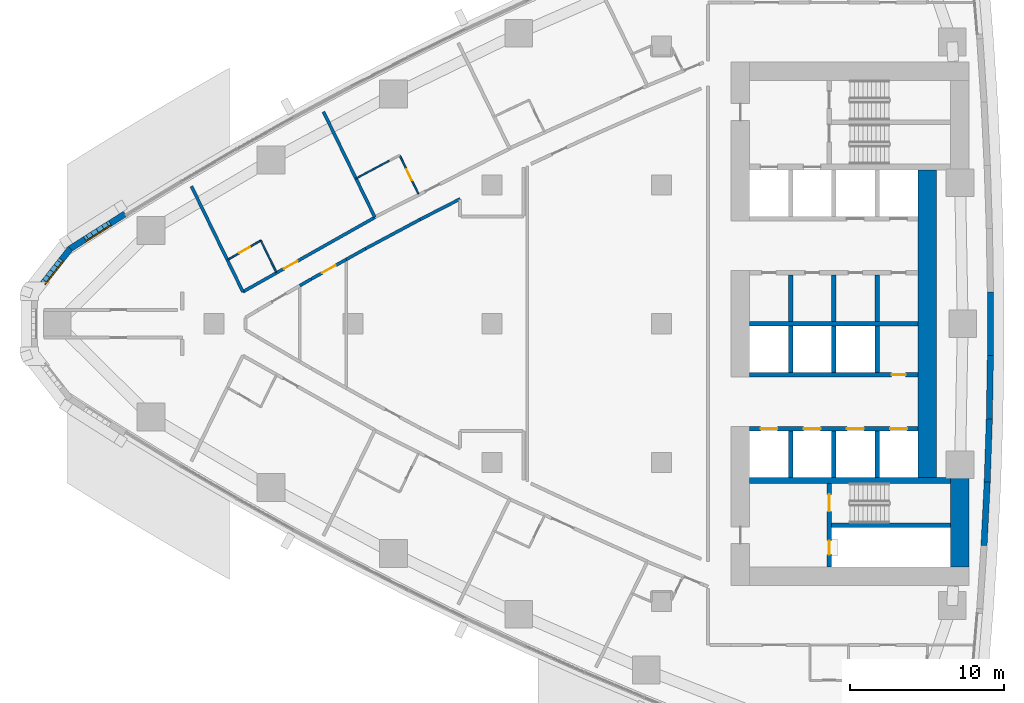
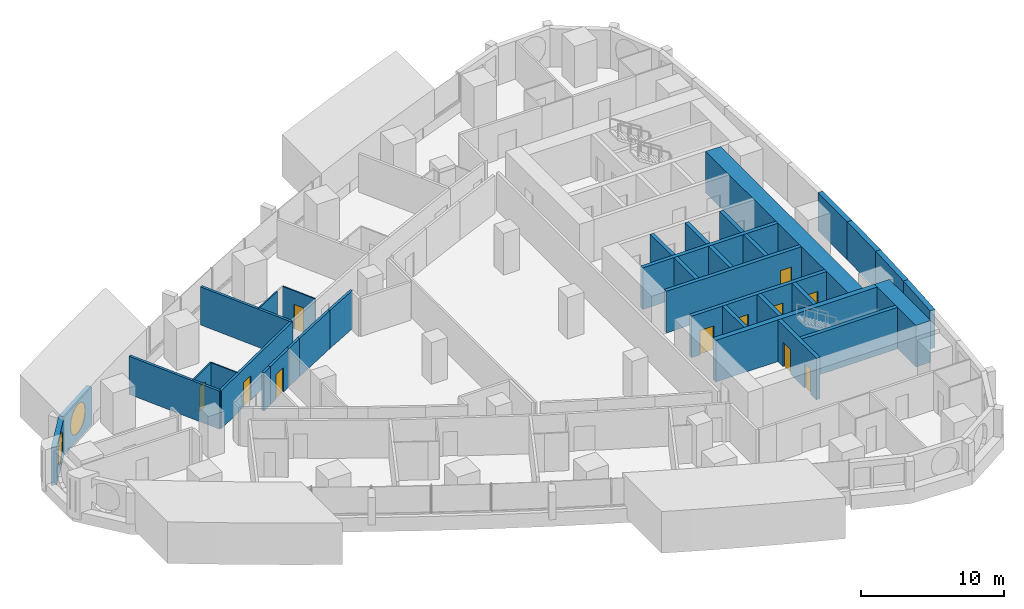
# One storey, part 11 of 19: 35 walls, 11 doors, 2 windows, 13 openings.
"""IFC4 building model written with IfcOpenShell, lengths in metres."""

from ifc_helpers import new_model, si_unit, direction, frame, frame_2d, origin, place, context, subcontext, project, spatial, polyline, rectangle, outline, extrude, material, layer, layer_set, type_object, element, fill, save


model = new_model("IFC4")

# Units and contexts
model_context = context("Model", 3, precision=1e-05, world=origin(), true_north=direction((0.0, 1.0)))
body_context = subcontext(model_context, "Body", "Model", "MODEL_VIEW")
ifc_project = project(units=[si_unit("LENGTHUNIT", "METRE"), si_unit("AREAUNIT", "SQUARE_METRE"), si_unit("VOLUMEUNIT", "CUBIC_METRE"), si_unit("PLANEANGLEUNIT", "RADIAN"), si_unit("MASSUNIT", "GRAM", prefix="KILO")], contexts=[model_context])

# Site, building, storey
site_placement = place(None, origin())
site = spatial("IfcSite", under=ifc_project, at=site_placement, CompositionType="ELEMENT")
building_placement = place(site_placement, origin())
building = spatial("IfcBuilding", under=site, at=building_placement, Name="Ostrand Prow Hotel Tower", CompositionType="ELEMENT")
storey_placement = place(building_placement, frame((0.0, 0.0, 60.89990234375)))
storey = spatial("IfcBuildingStorey", under=building, at=storey_placement, Name="L13", CompositionType="ELEMENT", Elevation=60.89990234375)

# Walls
ifc_material_1 = material(Name="Concrete C80/95", Category="concrete")
ifc_layer_1 = layer(ifc_material_1, 1.199951171875)
ifc_layer_set_1 = layer_set([ifc_layer_1], Name="Concrete C80/95")
wall_type_1 = type_object("IfcWallType", Name="Core wall 1200 C80/95", PredefinedType="SHEAR", material=ifc_layer_set_1)
wall_1_placement = place(storey_placement, frame((64.320068359375, -15.75, 0.0), z_axis=(0.0, 0.0, 1.0), x_axis=(0.0, 1.0, 0.0)))
element("IfcWall", 1, at=wall_1_placement, inside=storey, type_object=wall_type_1, Name="Core wall CW-E-S", PredefinedType="SHEAR", context=body_context, shape_type="SweptSolid", body=[
    extrude(rectangle(XDim=5.800048828125, YDim=1.199951171875, at=frame_2d((2.89990234375, 0.0))), origin(), (0.0, 0.0, 1.0), 3.550048828125),
])
wall_2_placement = place(storey_placement, frame((62.199951171875, -9.949951171875, 0.0), z_axis=(0.0, 0.0, 1.0), x_axis=(0.0, 1.0, 0.0)))
element("IfcWall", 2, at=wall_2_placement, inside=storey, type_object=wall_type_1, Name="Core wall CW-E-C", PredefinedType="SHEAR", context=body_context, shape_type="SweptSolid", body=[
    extrude(rectangle(XDim=19.89990234375, YDim=1.199951171875, at=frame_2d((9.949951171875, 0.0))), origin(), (0.0, 0.0, 1.0), 3.550048828125),
])
ifc_material_2 = material(Name="Concrete C80/95", Category="concrete")
ifc_layer_2 = layer(ifc_material_2, 0.300048828125)
ifc_layer_set_2 = layer_set([ifc_layer_2], Name="Concrete C80/95")
wall_type_2 = type_object("IfcWallType", Name="Core wall 300 C80/95", PredefinedType="SHEAR", material=ifc_layer_set_2)
wall_3_placement = place(storey_placement, frame((50.699951171875, 0.0, 0.0), z_axis=(0.0, 0.0, 1.0), x_axis=(1.0, 0.0, 0.0)))
element("IfcWall", 3, at=wall_3_placement, inside=storey, type_object=wall_type_2, Name="Core wall PW-C", PredefinedType="SHEAR", context=body_context, shape_type="SweptSolid", body=[
    extrude(rectangle(XDim=10.900146484375, YDim=0.300048828125, at=frame_2d((5.4501953125, 0.0))), origin(), (0.0, 0.0, 1.0), 3.550048828125),
])
for number, where, z_axis, x_axis, name in (
    (4, (53.35009765625, 0.14990234375, 0.0), (0.0, 0.0, 1.0), (0.0, 1.0, 0.0), "Core wall PW-R1-NB"),
    (5, (56.14990234375, 0.14990234375, 0.0), (0.0, 0.0, 1.0), (0.0, 1.0, 0.0), "Core wall PW-R2-NB"),
    (6, (58.949951171875, 0.14990234375, 0.0), (0.0, 0.0, 1.0), (0.0, 1.0, 0.0), "Core wall PW-R3-NB"),
):
    element("IfcWall", number, at=place(storey_placement, frame(where, z_axis=z_axis, x_axis=x_axis)), inside=storey, type_object=wall_type_2, Name=name, PredefinedType="SHEAR", context=body_context, shape_type="SweptSolid", body=[
        extrude(rectangle(XDim=3.0, YDim=0.300048828125, at=frame_2d((1.5, 0.0))), origin(), (0.0, 0.0, 1.0), 3.550048828125),
    ])

# Wall, opening, door
wall_4_placement = place(storey_placement, frame((50.699951171875, -3.300048828125, 0.0), z_axis=(0.0, 0.0, 1.0), x_axis=(1.0, 0.0, 0.0)))
wall_4 = element("IfcWall", 7, at=wall_4_placement, inside=storey, type_object=wall_type_2, Name="Core wall PW-L1-S", PredefinedType="SHEAR", context=body_context, shape_type="SweptSolid", body=[
    extrude(rectangle(XDim=10.900146484375, YDim=0.300048828125, at=frame_2d((5.4501953125, 0.0))), origin(), (0.0, 0.0, 1.0), 3.550048828125),
])
opening_1_placement = place(wall_4_placement, frame((9.199951171875, 0.0, 0.0)))
opening_1 = element("IfcOpeningElement", 8, at=opening_1_placement, cuts=wall_4, Name="Opening FD2", PredefinedType="OPENING", context=body_context, shape_type="SweptSolid", body=[
    extrude(rectangle(XDim=0.89990234375, YDim=2.10009765625, at=frame_2d((0.449951171875, 1.050048828125))), frame((0.0, 0.159912109375, 0.0), z_axis=(0.0, -1.0, 0.0), x_axis=(1.0, 0.0, 0.0)), (0.0, 0.0, 1.0), 0.320068359375),
])
ifc_material_3 = material(Name="Steel fire door", Category="steel")
door_type_1 = type_object("IfcDoorType", Name="Fire door 900 EI120", OperationType="SINGLE_SWING_LEFT", PredefinedType="DOOR", material=ifc_material_3)
door_1_placement = place(opening_1_placement, origin())
door_1 = element("IfcDoor", 9, at=door_1_placement, inside=storey, type_object=door_type_1, Name="DOOR", OperationType="SINGLE_SWING_LEFT", OverallHeight=2.10009765625, OverallWidth=0.89990234375, PredefinedType="DOOR", context=body_context, shape_type="SweptSolid", body=[
    extrude(rectangle(XDim=0.89990234375, YDim=2.10009765625, at=frame_2d((0.449951171875, 1.050048828125))), frame((0.0, 0.02490234375, 0.0), z_axis=(0.0, -1.0, 0.0), x_axis=(1.0, 0.0, 0.0)), (0.0, 0.0, 1.0), 0.050048828125),
])
fill(opening_1, door_1)

# Wall, openings, doors
wall_5_placement = place(storey_placement, frame((50.699951171875, -6.800048828125, 0.0), z_axis=(0.0, 0.0, 1.0), x_axis=(1.0, 0.0, 0.0)))
wall_5 = element("IfcWall", 10, at=wall_5_placement, inside=storey, type_object=wall_type_2, Name="Core wall PW-L2-S", PredefinedType="SHEAR", context=body_context, shape_type="SweptSolid", body=[
    extrude(rectangle(XDim=10.900146484375, YDim=0.300048828125, at=frame_2d((5.4501953125, 0.0))), origin(), (0.0, 0.0, 1.0), 3.550048828125),
])
opening_2_placement = place(wall_5_placement, frame((0.699951171875, 0.0, 0.0)))
opening_2 = element("IfcOpeningElement", 11, at=opening_2_placement, cuts=wall_5, Name="Opening LD", PredefinedType="OPENING", context=body_context, shape_type="SweptSolid", body=[
    extrude(rectangle(XDim=1.10009765625, YDim=2.10009765625, at=frame_2d((0.550048828125, 1.050048828125))), frame((0.0, 0.159912109375, 0.0), z_axis=(0.0, -1.0, 0.0), x_axis=(1.0, 0.0, 0.0)), (0.0, 0.0, 1.0), 0.320068359375),
])
opening_3_placement = place(wall_5_placement, frame((3.5, 0.0, 0.0)))
opening_3 = element("IfcOpeningElement", 12, at=opening_3_placement, cuts=wall_5, Name="Opening LD", PredefinedType="OPENING", context=body_context, shape_type="SweptSolid", body=[
    extrude(rectangle(XDim=1.10009765625, YDim=2.10009765625, at=frame_2d((0.550048828125, 1.050048828125))), frame((0.0, 0.159912109375, 0.0), z_axis=(0.0, -1.0, 0.0), x_axis=(1.0, 0.0, 0.0)), (0.0, 0.0, 1.0), 0.320068359375),
])
opening_4_placement = place(wall_5_placement, frame((6.300048828125, 0.0, 0.0)))
opening_4 = element("IfcOpeningElement", 13, at=opening_4_placement, cuts=wall_5, Name="Opening LD", PredefinedType="OPENING", context=body_context, shape_type="SweptSolid", body=[
    extrude(rectangle(XDim=1.10009765625, YDim=2.10009765625, at=frame_2d((0.550048828125, 1.050048828125))), frame((0.0, 0.159912109375, 0.0), z_axis=(0.0, -1.0, 0.0), x_axis=(1.0, 0.0, 0.0)), (0.0, 0.0, 1.0), 0.320068359375),
])
opening_5_placement = place(wall_5_placement, frame((9.10009765625, 0.0, 0.0)))
opening_5 = element("IfcOpeningElement", 14, at=opening_5_placement, cuts=wall_5, Name="Opening LD", PredefinedType="OPENING", context=body_context, shape_type="SweptSolid", body=[
    extrude(rectangle(XDim=1.10009765625, YDim=2.10009765625, at=frame_2d((0.550048828125, 1.050048828125))), frame((0.0, 0.159912109375, 0.0), z_axis=(0.0, -1.0, 0.0), x_axis=(1.0, 0.0, 0.0)), (0.0, 0.0, 1.0), 0.320068359375),
])
ifc_material_4 = material(Name="Stainless steel door", Category="steel")
door_type_2 = type_object("IfcDoorType", Name="Lift landing door 1100", OperationType="DOUBLE_DOOR_SLIDING", PredefinedType="DOOR", material=ifc_material_4)
door_2_placement = place(opening_2_placement, origin())
door_2 = element("IfcDoor", 15, at=door_2_placement, inside=storey, type_object=door_type_2, Name="LIFT LANDING DOOR", OperationType="DOUBLE_DOOR_SLIDING", OverallHeight=2.10009765625, OverallWidth=1.10009765625, PredefinedType="DOOR", context=body_context, shape_type="SweptSolid", body=[
    extrude(rectangle(XDim=1.10009765625, YDim=2.10009765625, at=frame_2d((0.550048828125, 1.050048828125))), frame((0.0, 0.02490234375, 0.0), z_axis=(0.0, -1.0, 0.0), x_axis=(1.0, 0.0, 0.0)), (0.0, 0.0, 1.0), 0.050048828125),
])
fill(opening_2, door_2)
door_3_placement = place(opening_3_placement, origin())
door_3 = element("IfcDoor", 16, at=door_3_placement, inside=storey, type_object=door_type_2, Name="LIFT LANDING DOOR", OperationType="DOUBLE_DOOR_SLIDING", OverallHeight=2.10009765625, OverallWidth=1.10009765625, PredefinedType="DOOR", context=body_context, shape_type="SweptSolid", body=[
    extrude(rectangle(XDim=1.10009765625, YDim=2.10009765625, at=frame_2d((0.550048828125, 1.050048828125))), frame((0.0, 0.02490234375, 0.0), z_axis=(0.0, -1.0, 0.0), x_axis=(1.0, 0.0, 0.0)), (0.0, 0.0, 1.0), 0.050048828125),
])
fill(opening_3, door_3)
door_4_placement = place(opening_4_placement, origin())
door_4 = element("IfcDoor", 17, at=door_4_placement, inside=storey, type_object=door_type_2, Name="LIFT LANDING DOOR", OperationType="DOUBLE_DOOR_SLIDING", OverallHeight=2.10009765625, OverallWidth=1.10009765625, PredefinedType="DOOR", context=body_context, shape_type="SweptSolid", body=[
    extrude(rectangle(XDim=1.10009765625, YDim=2.10009765625, at=frame_2d((0.550048828125, 1.050048828125))), frame((0.0, 0.02490234375, 0.0), z_axis=(0.0, -1.0, 0.0), x_axis=(1.0, 0.0, 0.0)), (0.0, 0.0, 1.0), 0.050048828125),
])
fill(opening_4, door_4)
door_5_placement = place(opening_5_placement, origin())
door_5 = element("IfcDoor", 18, at=door_5_placement, inside=storey, type_object=door_type_2, Name="LIFT LANDING DOOR", OperationType="DOUBLE_DOOR_SLIDING", OverallHeight=2.10009765625, OverallWidth=1.10009765625, PredefinedType="DOOR", context=body_context, shape_type="SweptSolid", body=[
    extrude(rectangle(XDim=1.10009765625, YDim=2.10009765625, at=frame_2d((0.550048828125, 1.050048828125))), frame((0.0, 0.02490234375, 0.0), z_axis=(0.0, -1.0, 0.0), x_axis=(1.0, 0.0, 0.0)), (0.0, 0.0, 1.0), 0.050048828125),
])
fill(opening_5, door_5)

# Walls
for number, where, z_axis, x_axis, name in (
    (19, (53.35009765625, -3.14990234375, 0.0), (0.0, 0.0, 1.0), (0.0, 1.0, 0.0), "Core wall PW-R1-SB"),
    (20, (53.35009765625, -9.949951171875, 0.0), (0.0, 0.0, 1.0), (0.0, 1.0, 0.0), "Core wall PW-R1-SA"),
    (21, (56.14990234375, -3.14990234375, 0.0), (0.0, 0.0, 1.0), (0.0, 1.0, 0.0), "Core wall PW-R2-SB"),
    (22, (56.14990234375, -9.949951171875, 0.0), (0.0, 0.0, 1.0), (0.0, 1.0, 0.0), "Core wall PW-R2-SA"),
    (23, (58.949951171875, -3.14990234375, 0.0), (0.0, 0.0, 1.0), (0.0, 1.0, 0.0), "Core wall PW-R3-SB"),
    (24, (58.949951171875, -9.949951171875, 0.0), (0.0, 0.0, 1.0), (0.0, 1.0, 0.0), "Core wall PW-R3-SA"),
):
    element("IfcWall", number, at=place(storey_placement, frame(where, z_axis=z_axis, x_axis=x_axis)), inside=storey, type_object=wall_type_2, Name=name, PredefinedType="SHEAR", context=body_context, shape_type="SweptSolid", body=[
        extrude(rectangle(XDim=3.0, YDim=0.300048828125, at=frame_2d((1.5, 0.0))), origin(), (0.0, 0.0, 1.0), 3.550048828125),
    ])

# Wall, openings, doors
wall_6_placement = place(storey_placement, frame((55.85009765625, -15.75, 0.0), z_axis=(0.0, 0.0, 1.0), x_axis=(0.0, 1.0, 0.0)))
wall_6 = element("IfcWall", 25, at=wall_6_placement, inside=storey, type_object=wall_type_2, Name="Core wall PW-VS", PredefinedType="SHEAR", context=body_context, shape_type="SweptSolid", body=[
    extrude(rectangle(XDim=5.39990234375, YDim=0.300048828125, at=frame_2d((2.699951171875, 0.0))), origin(), (0.0, 0.0, 1.0), 3.550048828125),
])
opening_6_placement = place(wall_6_placement, frame((3.60009765625, 0.0, 0.0)))
opening_6 = element("IfcOpeningElement", 26, at=opening_6_placement, cuts=wall_6, Name="Opening FD1", PredefinedType="OPENING", context=body_context, shape_type="SweptSolid", body=[
    extrude(rectangle(XDim=1.10009765625, YDim=2.10009765625, at=frame_2d((0.550048828125, 1.050048828125))), frame((0.0, 0.159912109375, 0.0), z_axis=(0.0, -1.0, 0.0), x_axis=(1.0, 0.0, 0.0)), (0.0, 0.0, 1.0), 0.320068359375),
])
opening_7_placement = place(wall_6_placement, frame((0.800048828125, 0.0, 0.0)))
opening_7 = element("IfcOpeningElement", 27, at=opening_7_placement, cuts=wall_6, Name="Opening FD2", PredefinedType="OPENING", context=body_context, shape_type="SweptSolid", body=[
    extrude(rectangle(XDim=0.89990234375, YDim=2.10009765625, at=frame_2d((0.449951171875, 1.050048828125))), frame((0.0, 0.159912109375, 0.0), z_axis=(0.0, -1.0, 0.0), x_axis=(1.0, 0.0, 0.0)), (0.0, 0.0, 1.0), 0.320068359375),
])
ifc_material_5 = material(Name="Steel fire door", Category="steel")
door_type_3 = type_object("IfcDoorType", Name="Fire door 1100 EI120", OperationType="SINGLE_SWING_RIGHT", PredefinedType="DOOR", material=ifc_material_5)
door_6_placement = place(opening_6_placement, origin())
door_6 = element("IfcDoor", 28, at=door_6_placement, inside=storey, type_object=door_type_3, Name="FIRE DOOR", OperationType="SINGLE_SWING_RIGHT", OverallHeight=2.10009765625, OverallWidth=1.10009765625, PredefinedType="DOOR", context=body_context, shape_type="SweptSolid", body=[
    extrude(rectangle(XDim=1.10009765625, YDim=2.10009765625, at=frame_2d((0.550048828125, 1.050048828125))), frame((0.0, 0.02490234375, 0.0), z_axis=(0.0, -1.0, 0.0), x_axis=(1.0, 0.0, 0.0)), (0.0, 0.0, 1.0), 0.050048828125),
])
fill(opening_6, door_6)
door_7_placement = place(opening_7_placement, origin())
door_7 = element("IfcDoor", 29, at=door_7_placement, inside=storey, type_object=door_type_1, Name="FIRE DOOR", OperationType="SINGLE_SWING_LEFT", OverallHeight=2.10009765625, OverallWidth=0.89990234375, PredefinedType="DOOR", context=body_context, shape_type="SweptSolid", body=[
    extrude(rectangle(XDim=0.89990234375, YDim=2.10009765625, at=frame_2d((0.449951171875, 1.050048828125))), frame((0.0, 0.02490234375, 0.0), z_axis=(0.0, -1.0, 0.0), x_axis=(1.0, 0.0, 0.0)), (0.0, 0.0, 1.0), 0.050048828125),
])
fill(opening_7, door_7)

# Walls
wall_7_placement = place(storey_placement, frame((56.0, -13.050048828125, 0.0), z_axis=(0.0, 0.0, 1.0), x_axis=(1.0, 0.0, 0.0)))
element("IfcWall", 30, at=wall_7_placement, inside=storey, type_object=wall_type_2, Name="Core wall PW-ST2R", PredefinedType="SHEAR", context=body_context, shape_type="SweptSolid", body=[
    extrude(rectangle(XDim=7.719970703125, YDim=0.300048828125, at=frame_2d((3.85986328125, 0.0))), origin(), (0.0, 0.0, 1.0), 3.550048828125),
])
ifc_material_6 = material(Name="Concrete C80/95", Category="concrete")
ifc_layer_3 = layer(ifc_material_6, 0.39990234375)
ifc_layer_set_3 = layer_set([ifc_layer_3], Name="Concrete C80/95")
wall_type_3 = type_object("IfcWallType", Name="Core wall 400 C80/95", PredefinedType="SHEAR", material=ifc_layer_set_3)
wall_8_placement = place(storey_placement, frame((50.699951171875, -10.14990234375, 0.0), z_axis=(0.0, 0.0, 1.0), x_axis=(1.0, 0.0, 0.0)))
element("IfcWall", 31, at=wall_8_placement, inside=storey, type_object=wall_type_3, Name="Core wall PW-BS", PredefinedType="SHEAR", context=body_context, shape_type="SweptSolid", body=[
    extrude(rectangle(XDim=13.02001953125, YDim=0.39990234375, at=frame_2d((6.510009765625, 0.0))), origin(), (0.0, 0.0, 1.0), 3.550048828125),
])

# Wall, opening, door
ifc_material_7 = material(Name="Plasterboard partition")
ifc_layer_4 = layer(ifc_material_7, 0.10009765625)
ifc_layer_set_4 = layer_set([ifc_layer_4], Name="Plasterboard partition")
wall_type_4 = type_object("IfcWallType", Name="Partition 100 bathroom wall", PredefinedType="PARTITIONING", material=ifc_layer_set_4)
wall_9_placement = place(storey_placement, frame((16.898193359375, 4.1435546875, 0.0), z_axis=(0.0, 0.0, 1.0), x_axis=(0.863707305865, 0.503993739837, 0.0)))
wall_9 = element("IfcWall", 32, at=wall_9_placement, inside=storey, type_object=wall_type_4, Name="BATHROOM WALL", PredefinedType="PARTITIONING", context=body_context, shape_type="SweptSolid", body=[
    extrude(rectangle(XDim=2.473876953125, YDim=0.10009765625, at=frame_2d((1.23681640625, 0.0))), origin(), (0.0, 0.0, 1.0), 3.25),
])
opening_8_placement = place(wall_9_placement, frame((0.85009765625, 0.0, 0.0)))
opening_8 = element("IfcOpeningElement", 33, at=opening_8_placement, cuts=wall_9, Name="Opening D2", PredefinedType="OPENING", context=body_context, shape_type="SweptSolid", body=[
    extrude(rectangle(XDim=0.800048828125, YDim=2.10009765625, at=frame_2d((0.39990234375, 1.050048828125))), frame((0.0, 0.06005859375, 0.0), z_axis=(0.0, -1.0, 0.0), x_axis=(1.0, 0.0, 0.0)), (0.0, 0.0, 1.0), 0.1201171875),
])
ifc_material_8 = material(Name="Timber door leaf", Category="wood")
door_type_4 = type_object("IfcDoorType", Name="Bathroom door 800", OperationType="SINGLE_SWING_LEFT", PredefinedType="DOOR", material=ifc_material_8)
door_8_placement = place(opening_8_placement, origin())
door_8 = element("IfcDoor", 34, at=door_8_placement, inside=storey, type_object=door_type_4, Name="DOOR", OperationType="SINGLE_SWING_LEFT", OverallHeight=2.10009765625, OverallWidth=0.800048828125, PredefinedType="DOOR", context=body_context, shape_type="SweptSolid", body=[
    extrude(rectangle(XDim=0.800048828125, YDim=2.10009765625, at=frame_2d((0.39990234375, 1.050048828125))), frame((0.0, 0.02490234375, 0.0), z_axis=(0.0, -1.0, 0.0), x_axis=(1.0, 0.0, 0.0)), (0.0, 0.0, 1.0), 0.050048828125),
])
fill(opening_8, door_8)

# Walls
wall_10_placement = place(storey_placement, frame((19.03515625, 5.390380859375, 0.0), z_axis=(0.0, 0.0, 1.0), x_axis=(0.438122322582, -0.898915363344, 0.0)))
element("IfcWall", 35, at=wall_10_placement, inside=storey, type_object=wall_type_4, Name="BATHROOM WALL", PredefinedType="PARTITIONING", context=body_context, shape_type="SweptSolid", body=[
    extrude(rectangle(XDim=2.282958984375, YDim=0.10009765625, at=frame_2d((1.1416015625, 0.0))), origin(), (0.0, 0.0, 1.0), 3.25),
])
wall_11_placement = place(storey_placement, frame((25.197509765625, 9.40869140625, 0.0), z_axis=(0.0, 0.0, 1.0), x_axis=(0.881658684569, 0.471887660279, 0.0)))
element("IfcWall", 36, at=wall_11_placement, inside=storey, type_object=wall_type_4, Name="BATHROOM WALL", PredefinedType="PARTITIONING", context=body_context, shape_type="SweptSolid", body=[
    extrude(rectangle(XDim=2.45654296875, YDim=0.10009765625, at=frame_2d((1.228271484375, 0.0))), origin(), (0.0, 0.0, 1.0), 3.25),
])

# Wall, opening, door
wall_12_placement = place(storey_placement, frame((28.02685546875, 10.907470703125, 0.0), z_axis=(0.0, 0.0, 1.0), x_axis=(0.438189818179, -0.898882463531, 0.0)))
wall_12 = element("IfcWall", 37, at=wall_12_placement, inside=storey, type_object=wall_type_4, Name="BATHROOM WALL", PredefinedType="PARTITIONING", context=body_context, shape_type="SweptSolid", body=[
    extrude(rectangle(XDim=2.77734375, YDim=0.10009765625, at=frame_2d((1.388671875, 0.0))), origin(), (0.0, 0.0, 1.0), 3.25),
])
opening_9_placement = place(wall_12_placement, frame((1.0, 0.0, 0.0)))
opening_9 = element("IfcOpeningElement", 38, at=opening_9_placement, cuts=wall_12, Name="Opening D2", PredefinedType="OPENING", context=body_context, shape_type="SweptSolid", body=[
    extrude(rectangle(XDim=0.800048828125, YDim=2.10009765625, at=frame_2d((0.39990234375, 1.050048828125))), frame((0.0, 0.06005859375, 0.0), z_axis=(0.0, -1.0, 0.0), x_axis=(1.0, 0.0, 0.0)), (0.0, 0.0, 1.0), 0.1201171875),
])
door_9_placement = place(opening_9_placement, origin())
door_9 = element("IfcDoor", 39, at=door_9_placement, inside=storey, type_object=door_type_4, Name="DOOR", OperationType="SINGLE_SWING_LEFT", OverallHeight=2.10009765625, OverallWidth=0.800048828125, PredefinedType="DOOR", context=body_context, shape_type="SweptSolid", body=[
    extrude(rectangle(XDim=0.800048828125, YDim=2.10009765625, at=frame_2d((0.39990234375, 1.050048828125))), frame((0.0, 0.02490234375, 0.0), z_axis=(0.0, -1.0, 0.0), x_axis=(1.0, 0.0, 0.0)), (0.0, 0.0, 1.0), 0.050048828125),
])
fill(opening_9, door_9)

ifc_material_9 = material(Name="Plasterboard partition")
ifc_layer_5 = layer(ifc_material_9, 0.199951171875)
ifc_layer_set_5 = layer_set([ifc_layer_5], Name="Plasterboard partition")
wall_type_5 = type_object("IfcWallType", Name="Partition 200 corridor wall", PredefinedType="PARTITIONING", material=ifc_layer_set_5)
wall_13_placement = place(storey_placement, frame((17.87353515625, 2.068115234375, 0.0), z_axis=(0.0, 0.0, 1.0), x_axis=(0.871078318876, 0.491144136057, 0.0)))
wall_13 = element("IfcWall", 40, at=wall_13_placement, inside=storey, type_object=wall_type_5, Name="CORRIDOR WALL", PredefinedType="PARTITIONING", context=body_context, shape_type="SweptSolid", body=[
    extrude(rectangle(XDim=9.8173828125, YDim=0.199951171875, at=frame_2d((4.90869140625, 0.0))), origin(), (0.0, 0.0, 1.0), 3.25),
])
opening_10_placement = place(wall_13_placement, frame((3.050048828125, 0.0, 0.0)))
opening_10 = element("IfcOpeningElement", 41, at=opening_10_placement, cuts=wall_13, Name="Opening D1R", PredefinedType="OPENING", context=body_context, shape_type="SweptSolid", body=[
    extrude(rectangle(XDim=1.0, YDim=2.10009765625, at=frame_2d((0.5, 1.050048828125))), frame((0.0, 0.10986328125, 0.0), z_axis=(0.0, -1.0, 0.0), x_axis=(1.0, 0.0, 0.0)), (0.0, 0.0, 1.0), 0.219970703125),
])
ifc_material_10 = material(Name="Timber door leaf", Category="wood")
door_type_5 = type_object("IfcDoorType", Name="Guest room door 1000 right", OperationType="SINGLE_SWING_RIGHT", PredefinedType="DOOR", material=ifc_material_10)
door_10_placement = place(opening_10_placement, origin())
door_10 = element("IfcDoor", 42, at=door_10_placement, inside=storey, type_object=door_type_5, Name="DOOR", OperationType="SINGLE_SWING_RIGHT", OverallHeight=2.10009765625, OverallWidth=1.0, PredefinedType="DOOR", context=body_context, shape_type="SweptSolid", body=[
    extrude(rectangle(XDim=1.0, YDim=2.10009765625, at=frame_2d((0.5, 1.050048828125))), frame((0.0, 0.02490234375, 0.0), z_axis=(0.0, -1.0, 0.0), x_axis=(1.0, 0.0, 0.0)), (0.0, 0.0, 1.0), 0.050048828125),
])
fill(opening_10, door_10)

wall_14_placement = place(storey_placement, frame((22.31201171875, 2.903076171875, 0.0), z_axis=(0.0, 0.0, 1.0), x_axis=(0.872797752414, 0.488082045748, 0.0)))
wall_14 = element("IfcWall", 43, at=wall_14_placement, inside=storey, type_object=wall_type_5, Name="CORRIDOR WALL", PredefinedType="PARTITIONING", context=body_context, shape_type="SweptSolid", body=[
    extrude(rectangle(XDim=2.58154296875, YDim=0.199951171875, at=frame_2d((1.290771484375, 0.0))), origin(), (0.0, 0.0, 1.0), 3.25),
])
opening_11_placement = place(wall_14_placement, frame((0.790771484375, 0.0, 0.0)))
opening_11 = element("IfcOpeningElement", 44, at=opening_11_placement, cuts=wall_14, Name="Opening D1R", PredefinedType="OPENING", context=body_context, shape_type="SweptSolid", body=[
    extrude(rectangle(XDim=1.0, YDim=2.10009765625, at=frame_2d((0.5, 1.050048828125))), frame((0.0, 0.10986328125, 0.0), z_axis=(0.0, -1.0, 0.0), x_axis=(1.0, 0.0, 0.0)), (0.0, 0.0, 1.0), 0.219970703125),
])
door_11_placement = place(opening_11_placement, origin())
door_11 = element("IfcDoor", 45, at=door_11_placement, inside=storey, type_object=door_type_5, Name="DOOR", OperationType="SINGLE_SWING_RIGHT", OverallHeight=2.10009765625, OverallWidth=1.0, PredefinedType="DOOR", context=body_context, shape_type="SweptSolid", body=[
    extrude(rectangle(XDim=1.0, YDim=2.10009765625, at=frame_2d((0.5, 1.050048828125))), frame((0.0, 0.02490234375, 0.0), z_axis=(0.0, -1.0, 0.0), x_axis=(1.0, 0.0, 0.0)), (0.0, 0.0, 1.0), 0.050048828125),
])
fill(opening_11, door_11)

# Walls
wall_15_placement = place(storey_placement, frame((21.565185546875, 2.46728515625, 0.0), z_axis=(0.0, 0.0, 1.0), x_axis=(0.863707207562, 0.503993908303, 0.0)))
element("IfcWall", 46, at=wall_15_placement, inside=storey, type_object=wall_type_5, Name="CORRIDOR WALL", PredefinedType="PARTITIONING", context=body_context, shape_type="SweptSolid", body=[
    extrude(rectangle(XDim=0.86474609375, YDim=0.199951171875, at=frame_2d((0.432373046875, 0.0))), origin(), (0.0, 0.0, 1.0), 3.25),
])
wall_16_placement = place(storey_placement, frame((29.357421875, 6.758056640625, 0.0), z_axis=(0.0, 0.0, 1.0), x_axis=(0.890213377055, 0.455543788579, 0.0)))
element("IfcWall", 47, at=wall_16_placement, inside=storey, type_object=wall_type_5, Name="CORRIDOR WALL", PredefinedType="PARTITIONING", context=body_context, shape_type="SweptSolid", body=[
    extrude(rectangle(XDim=2.912353515625, YDim=0.199951171875, at=frame_2d((1.4560546875, 0.0))), origin(), (0.0, 0.0, 1.0), 3.25),
])
wall_17_placement = place(storey_placement, frame((24.565185546875, 4.1630859375, 0.0), z_axis=(0.0, 0.0, 1.0), x_axis=(0.872804855849, 0.488069343031, 0.0)))
element("IfcWall", 48, at=wall_17_placement, inside=storey, type_object=wall_type_5, Name="CORRIDOR WALL", PredefinedType="PARTITIONING", context=body_context, shape_type="SweptSolid", body=[
    extrude(rectangle(XDim=1.43408203125, YDim=0.199951171875, at=frame_2d((0.717041015625, 0.0))), origin(), (0.0, 0.0, 1.0), 3.25),
])
wall_18_placement = place(storey_placement, frame((25.81689453125, 4.863037109375, 0.0), z_axis=(0.0, 0.0, 1.0), x_axis=(0.881655245922, 0.471894084874, 0.0)))
element("IfcWall", 49, at=wall_18_placement, inside=storey, type_object=wall_type_5, Name="CORRIDOR WALL", PredefinedType="PARTITIONING", context=body_context, shape_type="SweptSolid", body=[
    extrude(rectangle(XDim=4.015869140625, YDim=0.199951171875, at=frame_2d((2.0078125, 0.0))), origin(), (0.0, 0.0, 1.0), 3.25),
])
ifc_material_11 = material(Name="Plasterboard partition")
ifc_layer_6 = layer(ifc_material_11, 0.199951171875)
ifc_layer_set_6 = layer_set([ifc_layer_6], Name="Plasterboard partition")
wall_type_6 = type_object("IfcWallType", Name="Partition 200 key partition", PredefinedType="PARTITIONING", material=ifc_layer_set_6)
wall_19_placement = place(storey_placement, frame((17.88232421875, 2.050048828125, 0.0), z_axis=(0.0, 0.0, 1.0), x_axis=(-0.438213564788, 0.898870887078, 0.0)))
element("IfcWall", 50, at=wall_19_placement, inside=storey, type_object=wall_type_6, Name="KEY PARTITION", PredefinedType="PARTITIONING", context=body_context, shape_type="SweptSolid", body=[
    extrude(rectangle(XDim=7.62548828125, YDim=0.199951171875, at=frame_2d((3.812744140625, 0.0))), origin(), (0.0, 0.0, 1.0), 3.25),
])
wall_20_placement = place(storey_placement, frame((26.42529296875, 6.889892578125, 0.0), z_axis=(0.0, 0.0, 1.0), x_axis=(-0.438202895602, 0.898876088394, 0.0)))
element("IfcWall", 51, at=wall_20_placement, inside=storey, type_object=wall_type_6, Name="KEY PARTITION", PredefinedType="PARTITIONING", context=body_context, shape_type="SweptSolid", body=[
    extrude(rectangle(XDim=7.60546875, YDim=0.199951171875, at=frame_2d((3.802734375, 0.0))), origin(), (0.0, 0.0, 1.0), 3.25),
])

# Wall, opening, window
ifc_material_12 = material(Name="Precast concrete C40/50", Category="concrete")
ifc_layer_7 = layer(ifc_material_12, 0.39990234375)
ifc_layer_set_7 = layer_set([ifc_layer_7], Name="Precast concrete C40/50")
wall_type_7 = type_object("IfcWallType", Name="Stone-faced precast wall 400 mm", PredefinedType="NOTDEFINED", material=ifc_layer_set_7)
wall_21_placement = place(storey_placement, frame((10.24169921875, 7.116455078125, 0.0), z_axis=(0.0, 0.0, 1.0), x_axis=(-0.844551578623, -0.535474211372, 0.0)))
wall_21 = element("IfcWall", 52, at=wall_21_placement, inside=storey, type_object=wall_type_7, Name="Stone-faced wall prow 1", PredefinedType="NOTDEFINED", context=body_context, shape_type="SweptSolid", body=[
    extrude(outline(polyline([(0.0, -0.199951171875), (4.23046875, -0.199951171875), (4.16162109375, 0.199951171875), (0.0, 0.199951171875), (0.0, -0.199951171875)])), origin(), (0.0, 0.0, 1.0), 3.25),
])
opening_12_placement = place(wall_21_placement, frame((0.998046875, 0.0, 0.60009765625)))
opening_12 = element("IfcOpeningElement", 53, at=opening_12_placement, cuts=wall_21, Name="Opening WP1", PredefinedType="OPENING", context=body_context, shape_type="SweptSolid", body=[
    extrude(outline(polyline([(0.0, 1.35009765625), (0.083740234375, 1.77099609375), (0.322265625, 2.127685546875), (0.678955078125, 2.3662109375), (1.10009765625, 2.449951171875), (1.52099609375, 2.3662109375), (1.877685546875, 2.127685546875), (2.1162109375, 1.77099609375), (2.199951171875, 1.35009765625), (2.199951171875, 1.10009765625), (2.1162109375, 0.678955078125), (1.877685546875, 0.322265625), (1.52099609375, 0.083740234375), (1.10009765625, 0.0), (0.678955078125, 0.083740234375), (0.322265625, 0.322265625), (0.083740234375, 0.678955078125), (0.0, 1.099853515625), (0.0, 1.35009765625)])), frame((0.0, 0.2099609375, 0.0), z_axis=(0.0, -1.0, 0.0), x_axis=(1.0, 0.0, 0.0)), (0.0, 0.0, 1.0), 0.419921875),
])
ifc_material_13 = material(Name="Insulated glass in bronze frame", Category="glass")
window_type = type_object("IfcWindowType", Name="Round-ended prow window 2200x2450", PartitioningType="SINGLE_PANEL", PredefinedType="WINDOW", material=ifc_material_13)
window_1_placement = place(opening_12_placement, origin())
window_1 = element("IfcWindow", 54, at=window_1_placement, inside=storey, type_object=window_type, Name="Window prow 1.1", OverallHeight=2.449951171875, OverallWidth=2.199951171875, PartitioningType="SINGLE_PANEL", PredefinedType="WINDOW", context=body_context, shape_type="SweptSolid", body=[
    extrude(outline(polyline([(0.0, 1.35009765625), (0.083740234375, 1.77099609375), (0.322265625, 2.127685546875), (0.678955078125, 2.3662109375), (1.10009765625, 2.449951171875), (1.52099609375, 2.3662109375), (1.877685546875, 2.127685546875), (2.1162109375, 1.77099609375), (2.199951171875, 1.35009765625), (2.199951171875, 1.10009765625), (2.1162109375, 0.678955078125), (1.877685546875, 0.322265625), (1.52099609375, 0.083740234375), (1.10009765625, 0.0), (0.678955078125, 0.083740234375), (0.322265625, 0.322265625), (0.083740234375, 0.678955078125), (0.0, 1.099853515625), (0.0, 1.35009765625)])), frame((0.0, 0.169921875, 0.0), z_axis=(0.0, -1.0, 0.0), x_axis=(1.0, 0.0, 0.0)), (0.0, 0.0, 1.0), 0.06005859375),
])
fill(opening_12, window_1)

wall_22_placement = place(storey_placement, frame((6.697998046875, 4.86962890625, 0.0), z_axis=(0.0, 0.0, 1.0), x_axis=(-0.616586647779, -0.787287054245, 0.0)))
wall_22 = element("IfcWall", 55, at=wall_22_placement, inside=storey, type_object=wall_type_7, Name="Stone-faced wall prow 2", PredefinedType="NOTDEFINED", context=body_context, shape_type="SweptSolid", body=[
    extrude(outline(polyline([(-0.034423828125, -0.199951171875), (3.85205078125, -0.199951171875), (3.7138671875, 0.199951171875), (0.034423828125, 0.199951171875), (-0.034423828125, -0.199951171875)])), origin(), (0.0, 0.0, 1.0), 3.25),
])
opening_13_placement = place(wall_22_placement, frame((0.79150390625, 0.0, 0.60009765625)))
opening_13 = element("IfcOpeningElement", 56, at=opening_13_placement, cuts=wall_22, Name="Opening WP1", PredefinedType="OPENING", context=body_context, shape_type="SweptSolid", body=[
    extrude(outline(polyline([(0.0, 1.35009765625), (0.083740234375, 1.77099609375), (0.322265625, 2.127685546875), (0.678955078125, 2.3662109375), (1.10009765625, 2.449951171875), (1.52099609375, 2.3662109375), (1.877685546875, 2.127685546875), (2.1162109375, 1.77099609375), (2.199951171875, 1.35009765625), (2.199951171875, 1.10009765625), (2.1162109375, 0.678955078125), (1.877685546875, 0.322265625), (1.52099609375, 0.083740234375), (1.10009765625, 0.0), (0.678955078125, 0.083740234375), (0.322265625, 0.322265625), (0.083740234375, 0.678955078125), (0.0, 1.099853515625), (0.0, 1.35009765625)])), frame((0.0, 0.2099609375, 0.0), z_axis=(0.0, -1.0, 0.0), x_axis=(1.0, 0.0, 0.0)), (0.0, 0.0, 1.0), 0.419921875),
])
window_2_placement = place(opening_13_placement, origin())
window_2 = element("IfcWindow", 57, at=window_2_placement, inside=storey, type_object=window_type, Name="Window prow 2.1", OverallHeight=2.449951171875, OverallWidth=2.199951171875, PartitioningType="SINGLE_PANEL", PredefinedType="WINDOW", context=body_context, shape_type="SweptSolid", body=[
    extrude(outline(polyline([(0.0, 1.35009765625), (0.083740234375, 1.77099609375), (0.322265625, 2.127685546875), (0.678955078125, 2.3662109375), (1.10009765625, 2.449951171875), (1.52099609375, 2.3662109375), (1.877685546875, 2.127685546875), (2.1162109375, 1.77099609375), (2.199951171875, 1.35009765625), (2.199951171875, 1.10009765625), (2.1162109375, 0.678955078125), (1.877685546875, 0.322265625), (1.52099609375, 0.083740234375), (1.10009765625, 0.0), (0.678955078125, 0.083740234375), (0.322265625, 0.322265625), (0.083740234375, 0.678955078125), (0.0, 1.099853515625), (0.0, 1.35009765625)])), frame((0.0, 0.169921875, 0.0), z_axis=(0.0, -1.0, 0.0), x_axis=(1.0, 0.0, 0.0)), (0.0, 0.0, 1.0), 0.06005859375),
])
fill(opening_13, window_2)

# Walls
for number, where, z_axis, x_axis, name in (
    (58, (65.878173828125, -14.359619140625, 0.0), (0.0, 0.0, 1.0), (0.050314326423, 0.998733432181, 0.0), "Stone-faced wall back 7"),
    (59, (66.084716796875, -10.259765625, 0.0), (0.0, 0.0, 1.0), (0.033542554696, 0.999437290191, 0.0), "Stone-faced wall back 8"),
    (60, (66.222412109375, -6.156982421875, 0.0), (0.0, 0.0, 1.0), (0.016830829972, 0.999858351549, 0.0), "Stone-faced wall back 9"),
    (61, (66.29150390625, -2.052490234375, 0.0), (0.0, 0.0, 1.0), (0.0, 1.0, 0.0), "Stone-faced wall back 10"),
):
    element("IfcWall", number, at=place(storey_placement, frame(where, z_axis=z_axis, x_axis=x_axis)), inside=storey, type_object=wall_type_7, Name=name, PredefinedType="NOTDEFINED", context=body_context, shape_type="SweptSolid", body=[
        extrude(outline(polyline([(-0.001708984375, -0.199951171875), (4.106689453125, -0.199951171875), (4.103271484375, 0.199951171875), (0.001708984375, 0.199951171875), (-0.001708984375, -0.199951171875)])), origin(), (0.0, 0.0, 1.0), 3.25),
    ])

save(model, "model.ifc")
